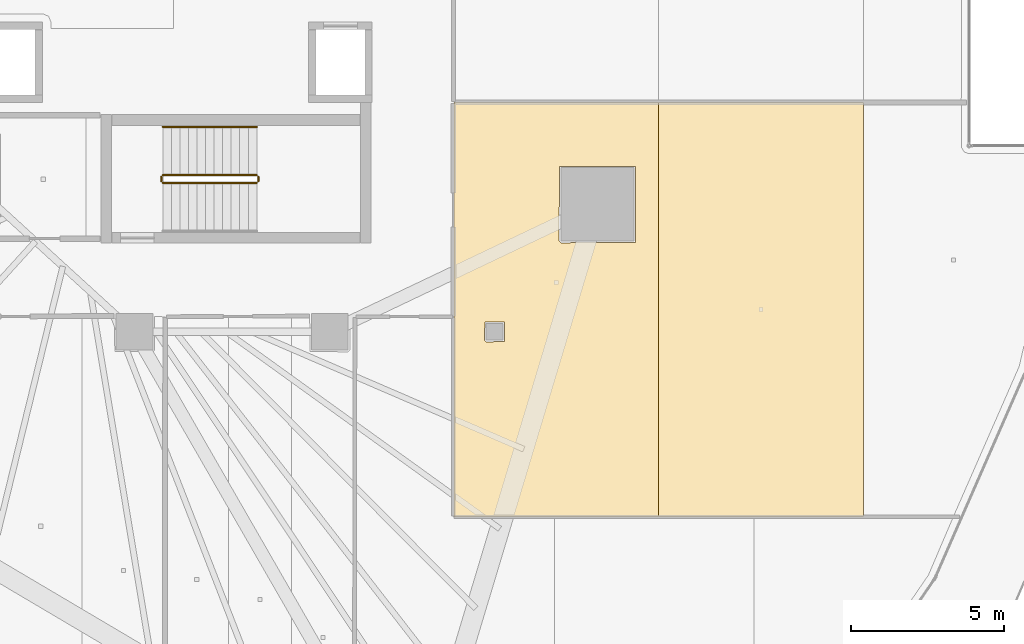
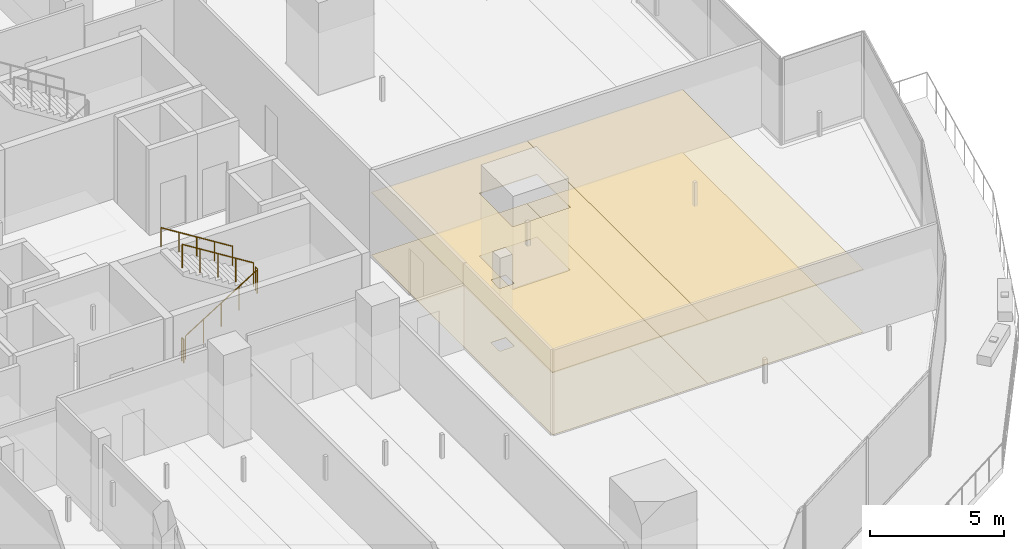
# One storey, part 39 of 44: 5 railings, 4 coverings.
"""IFC4 building model written with IfcOpenShell, lengths in metres."""

from ifc_helpers import new_model, si_unit, direction, frame, origin, origin_2d, place, context, subcontext, project, spatial, polyline, circle, outline, extrude, material, layer, layer_set, type_object, element, save


model = new_model("IFC4")

# Units and contexts
model_context = context("Model", 3, precision=1e-05, world=origin(), true_north=direction((0.0, 1.0)))
body_context = subcontext(model_context, "Body", "Model", "MODEL_VIEW")
ifc_project = project(units=[si_unit("LENGTHUNIT", "METRE"), si_unit("AREAUNIT", "SQUARE_METRE"), si_unit("VOLUMEUNIT", "CUBIC_METRE"), si_unit("PLANEANGLEUNIT", "RADIAN"), si_unit("MASSUNIT", "GRAM", prefix="KILO")], contexts=[model_context])

# Site, building, storey
site_placement = place(None, origin())
site = spatial("IfcSite", under=ifc_project, at=site_placement, CompositionType="ELEMENT")
building_placement = place(site_placement, origin())
building = spatial("IfcBuilding", under=site, at=building_placement, Name="Qorvath Tower", CompositionType="ELEMENT")
storey_placement = place(building_placement, frame((0.0, 0.0, 45.0)))
storey = spatial("IfcBuildingStorey", under=building, at=storey_placement, Name="L09", CompositionType="ELEMENT", Elevation=45.0)

# Coverings
ifc_material_1 = material(Name="Acoustic mineral fibre ceiling tile", Category="gypsum")
ifc_layer_1 = layer(ifc_material_1, 0.030029296875)
ifc_layer_set_1 = layer_set([ifc_layer_1], Name="COV-CEIL")
covering_type_1 = type_object("IfcCoveringType", Name="COV-CEIL", PredefinedType="CEILING", material=ifc_layer_set_1)
covering_1_placement = place(storey_placement, frame((0.0, 0.0, 2.85009765625)))
element("IfcCovering", 1, at=covering_1_placement, inside=storey, type_object=covering_type_1, Name="L09 Suspended Acoustic Ceiling 033", PredefinedType="CEILING", context=body_context, shape_type="SweptSolid", body=[
    extrude(outline(polyline([(-6.4267578125, -17.495849609375), (-6.4267578125, -3.9462890625), (-13.136962890625, -3.9462890625), (-13.136962890625, -17.4951171875), (-6.4267578125, -17.495849609375)]), holes=[polyline([(-9.690185546875, -8.476318359375), (-9.672607421875, -6.033935546875), (-7.18798828125, -6.033935546875), (-7.18798828125, -8.518798828125), (-9.63037109375, -8.536376953125), (-9.690185546875, -8.476318359375)]), polyline([(-12.135009765625, -11.72509765625), (-12.117431640625, -11.132568359375), (-11.482666015625, -11.132568359375), (-11.482666015625, -11.767333984375), (-12.074951171875, -11.784912109375), (-12.135009765625, -11.72509765625)])]), origin(), (0.0, 0.0, 1.0), 0.030029296875),
])
covering_2_placement = place(storey_placement, frame((0.0, 0.0, 2.85009765625)))
element("IfcCovering", 2, at=covering_2_placement, inside=storey, type_object=covering_type_1, Name="L09 Suspended Acoustic Ceiling 034", PredefinedType="CEILING", context=body_context, shape_type="SweptSolid", body=[
    extrude(outline(polyline([(0.283447265625, -17.496337890625), (0.283447265625, -3.9462890625), (-6.4267578125, -3.9462890625), (-6.4267578125, -17.495849609375), (0.283447265625, -17.496337890625)])), origin(), (0.0, 0.0, 1.0), 0.030029296875),
])
ifc_material_2 = material(Name="Low-VOC modular carpet tile", Category="textile")
ifc_layer_2 = layer(ifc_material_2, 0.014892578125)
ifc_layer_set_2 = layer_set([ifc_layer_2], Name="COV-FLOOR-CPT")
covering_type_2 = type_object("IfcCoveringType", Name="COV-FLOOR-CPT", PredefinedType="FLOORING", material=ifc_layer_set_2)
covering_3_placement = place(storey_placement, origin())
element("IfcCovering", 3, at=covering_3_placement, inside=storey, type_object=covering_type_2, Name="L09 Floor Finish 033", PredefinedType="FLOORING", context=body_context, shape_type="SweptSolid", body=[
    extrude(outline(polyline([(-6.4267578125, -17.495849609375), (-6.4267578125, -3.9462890625), (-13.136962890625, -3.9462890625), (-13.136962890625, -17.4951171875), (-6.4267578125, -17.495849609375)]), holes=[polyline([(-9.690185546875, -8.476318359375), (-9.672607421875, -6.033935546875), (-7.18798828125, -6.033935546875), (-7.18798828125, -8.518798828125), (-9.63037109375, -8.536376953125), (-9.690185546875, -8.476318359375)]), polyline([(-12.135009765625, -11.72509765625), (-12.117431640625, -11.132568359375), (-11.482666015625, -11.132568359375), (-11.482666015625, -11.767333984375), (-12.074951171875, -11.784912109375), (-12.135009765625, -11.72509765625)])]), origin(), (0.0, 0.0, 1.0), 0.014892578125),
])
covering_4_placement = place(storey_placement, origin())
element("IfcCovering", 4, at=covering_4_placement, inside=storey, type_object=covering_type_2, Name="L09 Floor Finish 034", PredefinedType="FLOORING", context=body_context, shape_type="SweptSolid", body=[
    extrude(outline(polyline([(0.283447265625, -17.496337890625), (0.283447265625, -3.9462890625), (-6.4267578125, -3.9462890625), (-6.4267578125, -17.495849609375), (0.283447265625, -17.496337890625)])), origin(), (0.0, 0.0, 1.0), 0.014892578125),
])

# Railings
ifc_material_3 = material(Name="Painted galvanised steel", Category="steel")
railing_type_1 = type_object("IfcRailingType", Name="RL-STR-GRD", PredefinedType="GUARDRAIL", material=ifc_material_3)
railing_1_placement = place(storey_placement, frame((-22.669921875, -6.570068359375, 0.175048828125)))
element("IfcRailing", 5, at=railing_1_placement, inside=storey, type_object=railing_type_1, Name="L09 TS2 stair guard 1", PredefinedType="GUARDRAIL", context=body_context, shape_type="SweptSolid", body=[
    extrude(circle(Radius=0.02392578125, at=origin_2d()), frame((0.0, 0.0, 1.076171875), z_axis=(0.847979421464, 0.0, 0.530029150871), x_axis=(0.0, 1.0, 0.0)), (0.0, 0.0, 1.0), 3.632080078125),
    extrude(circle(Radius=0.02099609375, at=origin_2d()), origin(), (0.0, 0.0, 1.0), 1.052001953125),
    extrude(circle(Radius=0.02099609375, at=origin_2d()), frame((0.77001953125, 0.0, 0.481201171875)), (0.0, 0.0, 1.0), 1.052001953125),
    extrude(circle(Radius=0.02099609375, at=origin_2d()), frame((1.5400390625, 0.0, 0.96240234375)), (0.0, 0.0, 1.0), 1.052001953125),
    extrude(circle(Radius=0.02099609375, at=origin_2d()), frame((2.309814453125, 0.0, 1.44384765625)), (0.0, 0.0, 1.0), 1.052001953125),
    extrude(circle(Radius=0.02099609375, at=origin_2d()), frame((3.079833984375, 0.0, 1.925048828125)), (0.0, 0.0, 1.0), 1.052001953125),
])
railing_2_placement = place(storey_placement, frame((-19.5400390625, -6.52001953125, 2.10009765625)))
element("IfcRailing", 6, at=railing_2_placement, inside=storey, type_object=railing_type_1, Name="L09 TS2 stair guard 2", PredefinedType="GUARDRAIL", context=body_context, shape_type="SweptSolid", body=[
    extrude(circle(Radius=0.02392578125, at=origin_2d()), frame((0.0, 0.0, 1.076171875), z_axis=(0.0, 1.0, 0.0), x_axis=(-1.0, 0.0, 0.0)), (0.0, 0.0, 1.0), 0.14990234375),
    extrude(circle(Radius=0.02099609375, at=origin_2d()), origin(), (0.0, 0.0, 1.0), 1.052001953125),
    extrude(circle(Radius=0.02099609375, at=origin_2d()), frame((0.0, 0.14990234375, 0.0)), (0.0, 0.0, 1.0), 1.052001953125),
])
railing_3_placement = place(storey_placement, frame((-19.590087890625, -6.320068359375, 2.27490234375)))
element("IfcRailing", 7, at=railing_3_placement, inside=storey, type_object=railing_type_1, Name="L09 TS2 stair guard 3", PredefinedType="GUARDRAIL", context=body_context, shape_type="SweptSolid", body=[
    extrude(circle(Radius=0.02392578125, at=origin_2d()), frame((0.0, 0.0, 1.076171875), z_axis=(-0.847979421464, 0.0, 0.530029150871), x_axis=(0.0, -1.0, 0.0)), (0.0, 0.0, 1.0), 3.632080078125),
    extrude(circle(Radius=0.02099609375, at=origin_2d()), origin(), (0.0, 0.0, 1.0), 1.052001953125),
    extrude(circle(Radius=0.02099609375, at=origin_2d()), frame((-0.77001953125, 0.0, 0.481201171875)), (0.0, 0.0, 1.0), 1.052001953125),
    extrude(circle(Radius=0.02099609375, at=origin_2d()), frame((-1.5400390625, 0.0, 0.96240234375)), (0.0, 0.0, 1.0), 1.052001953125),
    extrude(circle(Radius=0.02099609375, at=origin_2d()), frame((-2.309814453125, 0.0, 1.44384765625)), (0.0, 0.0, 1.0), 1.052001953125),
    extrude(circle(Radius=0.02099609375, at=origin_2d()), frame((-3.079833984375, 0.0, 1.925048828125)), (0.0, 0.0, 1.0), 1.052001953125),
])
railing_4_placement = place(storey_placement, frame((-22.719970703125, -6.52001953125, 0.0)))
element("IfcRailing", 8, at=railing_4_placement, inside=storey, type_object=railing_type_1, Name="L09 TS2 stair guard 4", PredefinedType="GUARDRAIL", context=body_context, shape_type="SweptSolid", body=[
    extrude(circle(Radius=0.02392578125, at=origin_2d()), frame((0.0, 0.0, 1.076171875), z_axis=(0.0, 1.0, 0.0), x_axis=(-1.0, 0.0, 0.0)), (0.0, 0.0, 1.0), 0.14990234375),
    extrude(circle(Radius=0.02099609375, at=origin_2d()), origin(), (0.0, 0.0, 1.0), 1.052001953125),
    extrude(circle(Radius=0.02099609375, at=origin_2d()), frame((0.0, 0.14990234375, 0.0)), (0.0, 0.0, 1.0), 1.052001953125),
])
ifc_material_4 = material(Name="Brushed stainless steel AISI 304", Category="steel")
railing_type_2 = type_object("IfcRailingType", Name="RL-STR-HND", PredefinedType="HANDRAIL", material=ifc_material_4)
railing_5_placement = place(storey_placement, frame((-19.590087890625, -4.739990234375, 2.27490234375)))
element("IfcRailing", 9, at=railing_5_placement, inside=storey, type_object=railing_type_2, Name="L09 TS2 stair handrail 2", PredefinedType="HANDRAIL", context=body_context, shape_type="SweptSolid", body=[
    extrude(circle(Radius=0.02392578125, at=origin_2d()), frame((0.0, 0.0, 0.8759765625), z_axis=(-0.847979421464, 0.0, 0.530029150871), x_axis=(0.0, -1.0, 0.0)), (0.0, 0.0, 1.0), 3.632080078125),
    extrude(circle(Radius=0.02099609375, at=origin_2d()), origin(), (0.0, 0.0, 1.0), 0.851806640625),
    extrude(circle(Radius=0.02099609375, at=origin_2d()), frame((-0.77001953125, 0.0, 0.481201171875)), (0.0, 0.0, 1.0), 0.851806640625),
    extrude(circle(Radius=0.02099609375, at=origin_2d()), frame((-1.5400390625, 0.0, 0.96240234375)), (0.0, 0.0, 1.0), 0.851806640625),
    extrude(circle(Radius=0.02099609375, at=origin_2d()), frame((-2.309814453125, 0.0, 1.44384765625)), (0.0, 0.0, 1.0), 0.851806640625),
    extrude(circle(Radius=0.02099609375, at=origin_2d()), frame((-3.079833984375, 0.0, 1.925048828125)), (0.0, 0.0, 1.0), 0.851806640625),
])

save(model, "model.ifc")
